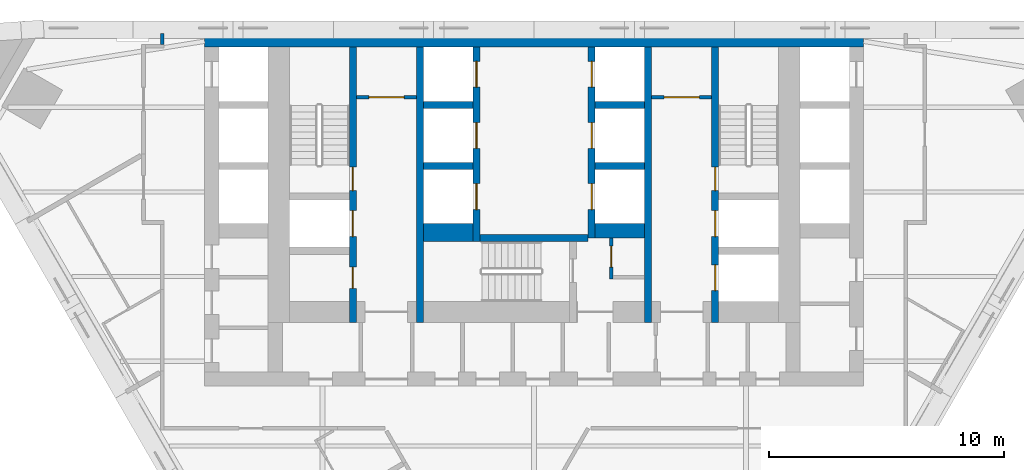
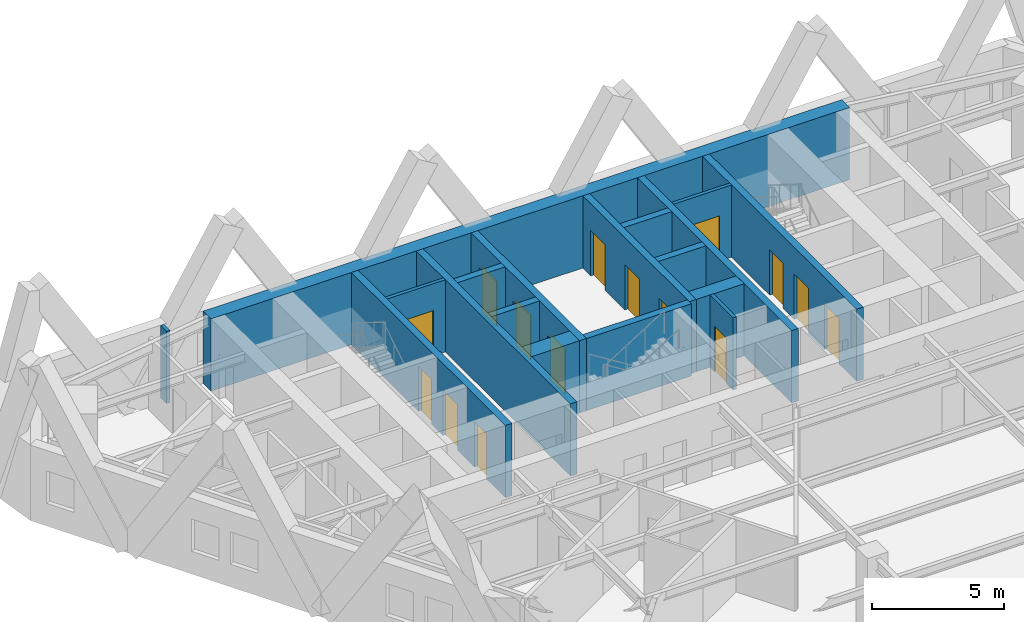
# One storey, part 7 of 10: 18 walls, 15 doors, 15 openings.
"""IFC4 building model written with IfcOpenShell, lengths in metres."""

from ifc_helpers import new_model, si_unit, direction, frame, frame_2d, origin, place, context, subcontext, project, spatial, rectangle, extrude, material, layer, layer_set, type_object, element, fill, save


model = new_model("IFC4")

# Units and contexts
model_context = context("Model", 3, precision=1e-05, world=origin(), true_north=direction((0.0, 1.0)))
body_context = subcontext(model_context, "Body", "Model", "MODEL_VIEW")
ifc_project = project(units=[si_unit("LENGTHUNIT", "METRE"), si_unit("AREAUNIT", "SQUARE_METRE"), si_unit("VOLUMEUNIT", "CUBIC_METRE"), si_unit("PLANEANGLEUNIT", "RADIAN"), si_unit("MASSUNIT", "GRAM", prefix="KILO")], contexts=[model_context])

# Site, building, storey
site_placement = place(None, origin())
site = spatial("IfcSite", under=ifc_project, at=site_placement, CompositionType="ELEMENT")
building_placement = place(site_placement, origin())
building = spatial("IfcBuilding", under=site, at=building_placement, Name="Aloe Facet Convention Tower", CompositionType="ELEMENT")
storey_placement = place(building_placement, frame((0.0, 0.0, 116.800048828125)))
storey = spatial("IfcBuildingStorey", under=building, at=storey_placement, Name="L29", CompositionType="ELEMENT", Elevation=116.800048828125)

# Wall, opening, door
ifc_material_1 = material(Name="Concrete blockwork partition", Category="masonry")
ifc_layer_1 = layer(ifc_material_1, 0.14990234375)
ifc_layer_set_1 = layer_set([ifc_layer_1], Name="CR-W-PART150")
wall_type_1 = type_object("IfcWallType", Name="CR-W-PART150", PredefinedType="PARTITIONING", material=ifc_layer_set_1)
wall_1_placement = place(storey_placement, frame((72.449951171875, 131.824951171875, 0.0), z_axis=(0.0, 0.0, 1.0), x_axis=(1.0, 0.0, 0.0)))
wall_1 = element("IfcWall", 1, at=wall_1_placement, inside=storey, type_object=wall_type_1, Name="Core partition L29-015", PredefinedType="PARTITIONING", context=body_context, shape_type="SweptSolid", body=[
    extrude(rectangle(XDim=2.550048828125, YDim=0.14990234375, at=frame_2d((1.27490234375, 0.0))), origin(), (0.0, 0.0, 1.0), 3.349853515625),
])
opening_1_placement = place(wall_1_placement, frame((0.52490234375, 0.0, 0.0)))
opening_1 = element("IfcOpeningElement", 2, at=opening_1_placement, cuts=wall_1, Name="Opening L29-CD21", PredefinedType="OPENING", context=body_context, shape_type="SweptSolid", body=[
    extrude(rectangle(XDim=1.5, YDim=2.10009765625, at=frame_2d((0.75, 1.050048828125))), frame((0.0, 0.0849609375, 0.0), z_axis=(0.0, -1.0, 0.0), x_axis=(1.0, 0.0, 0.0)), (0.0, 0.0, 1.0), 0.169921875),
])
ifc_material_2 = material(Name="Steel fire-resisting door set FD60", Category="steel")
door_type_1 = type_object("IfcDoorType", Name="CR-D-REFUGE-1500-FD60-DD", OperationType="DOUBLE_DOOR_DOUBLE_SWING", PredefinedType="DOOR", material=ifc_material_2)
door_1_placement = place(opening_1_placement, origin())
door_1 = element("IfcDoor", 3, at=door_1_placement, inside=storey, type_object=door_type_1, Name="Core door L29-CD21", OperationType="DOUBLE_DOOR_DOUBLE_SWING", OverallHeight=2.10009765625, OverallWidth=1.5, PredefinedType="DOOR", context=body_context, shape_type="SweptSolid", body=[
    extrude(rectangle(XDim=1.5, YDim=2.10009765625, at=frame_2d((0.75, 1.050048828125))), frame((0.0, 0.02490234375, 0.0), z_axis=(0.0, -1.0, 0.0), x_axis=(1.0, 0.0, 0.0)), (0.0, 0.0, 1.0), 0.050048828125),
])
fill(opening_1, door_1)

wall_2_placement = place(storey_placement, frame((83.27490234375, 125.85009765625, 0.0), z_axis=(0.0, 0.0, 1.0), x_axis=(0.0, -1.0, 0.0)))
wall_2 = element("IfcWall", 4, at=wall_2_placement, inside=storey, type_object=wall_type_1, Name="Core partition L29-036", PredefinedType="PARTITIONING", context=body_context, shape_type="SweptSolid", body=[
    extrude(rectangle(XDim=1.75, YDim=0.14990234375, at=frame_2d((0.875, 0.0))), origin(), (0.0, 0.0, 1.0), 3.349853515625),
])
opening_2_placement = place(wall_2_placement, frame((0.35009765625, 0.0, 0.0)))
opening_2 = element("IfcOpeningElement", 5, at=opening_2_placement, cuts=wall_2, Name="Opening L29-CD19", PredefinedType="OPENING", context=body_context, shape_type="SweptSolid", body=[
    extrude(rectangle(XDim=0.89990234375, YDim=2.10009765625, at=frame_2d((0.449951171875, 1.050048828125))), frame((0.0, 0.0849609375, 0.0), z_axis=(0.0, -1.0, 0.0), x_axis=(1.0, 0.0, 0.0)), (0.0, 0.0, 1.0), 0.169921875),
])
ifc_material_3 = material(Name="Steel fire-resisting door set FD60", Category="steel")
door_type_2 = type_object("IfcDoorType", Name="CR-D-REFUGE-900-FD60-SRIGHT", OperationType="SINGLE_SWING_RIGHT", PredefinedType="DOOR", material=ifc_material_3)
door_2_placement = place(opening_2_placement, origin())
door_2 = element("IfcDoor", 6, at=door_2_placement, inside=storey, type_object=door_type_2, Name="Core door L29-CD19", OperationType="SINGLE_SWING_RIGHT", OverallHeight=2.10009765625, OverallWidth=0.89990234375, PredefinedType="DOOR", context=body_context, shape_type="SweptSolid", body=[
    extrude(rectangle(XDim=0.89990234375, YDim=2.10009765625, at=frame_2d((0.449951171875, 1.050048828125))), frame((0.0, 0.02490234375, 0.0), z_axis=(0.0, -1.0, 0.0), x_axis=(1.0, 0.0, 0.0)), (0.0, 0.0, 1.0), 0.050048828125),
])
fill(opening_2, door_2)

wall_3_placement = place(storey_placement, frame((85.0, 131.824951171875, 0.0), z_axis=(0.0, 0.0, 1.0), x_axis=(1.0, 0.0, 0.0)))
wall_3 = element("IfcWall", 7, at=wall_3_placement, inside=storey, type_object=wall_type_1, Name="Core partition L29-039", PredefinedType="PARTITIONING", context=body_context, shape_type="SweptSolid", body=[
    extrude(rectangle(XDim=2.550048828125, YDim=0.14990234375, at=frame_2d((1.27490234375, 0.0))), origin(), (0.0, 0.0, 1.0), 3.349853515625),
])
opening_3_placement = place(wall_3_placement, frame((0.52490234375, 0.0, 0.0)))
opening_3 = element("IfcOpeningElement", 8, at=opening_3_placement, cuts=wall_3, Name="Opening L29-CD20", PredefinedType="OPENING", context=body_context, shape_type="SweptSolid", body=[
    extrude(rectangle(XDim=1.5, YDim=2.10009765625, at=frame_2d((0.75, 1.050048828125))), frame((0.0, 0.0849609375, 0.0), z_axis=(0.0, -1.0, 0.0), x_axis=(1.0, 0.0, 0.0)), (0.0, 0.0, 1.0), 0.169921875),
])
door_3_placement = place(opening_3_placement, origin())
door_3 = element("IfcDoor", 9, at=door_3_placement, inside=storey, type_object=door_type_1, Name="Core door L29-CD20", OperationType="DOUBLE_DOOR_DOUBLE_SWING", OverallHeight=2.10009765625, OverallWidth=1.5, PredefinedType="DOOR", context=body_context, shape_type="SweptSolid", body=[
    extrude(rectangle(XDim=1.5, YDim=2.10009765625, at=frame_2d((0.75, 1.050048828125))), frame((0.0, 0.02490234375, 0.0), z_axis=(0.0, -1.0, 0.0), x_axis=(1.0, 0.0, 0.0)), (0.0, 0.0, 1.0), 0.050048828125),
])
fill(opening_3, door_3)

# Wall, openings, doors
ifc_material_4 = material(Name="Concrete C70/85", Category="concrete")
ifc_layer_2 = layer(ifc_material_4, 0.300048828125)
ifc_layer_set_2 = layer_set([ifc_layer_2], Name="CR-W-RC300-C7085")
wall_type_2 = type_object("IfcWallType", Name="CR-W-RC300-C7085", PredefinedType="SOLIDWALL", material=ifc_layer_set_2)
wall_4_placement = place(storey_placement, frame((72.300048828125, 133.949951171875, 0.0), z_axis=(0.0, 0.0, 1.0), x_axis=(0.0, -1.0, 0.0)))
wall_4 = element("IfcWall", 10, at=wall_4_placement, inside=storey, type_object=wall_type_2, Name="Core wall L29-014", PredefinedType="SOLIDWALL", context=body_context, shape_type="SweptSolid", body=[
    extrude(rectangle(XDim=11.699951171875, YDim=0.300048828125, at=frame_2d((5.85009765625, 0.0))), origin(), (0.0, 0.0, 1.0), 3.349853515625),
])
opening_4_placement = place(wall_4_placement, frame((6.949951171875, 0.0, 0.0)))
opening_4 = element("IfcOpeningElement", 11, at=opening_4_placement, cuts=wall_4, Name="Opening LD-FF1-L29", PredefinedType="OPENING", context=body_context, shape_type="SweptSolid", body=[
    extrude(rectangle(XDim=1.10009765625, YDim=2.10009765625, at=frame_2d((0.550048828125, 1.050048828125))), frame((0.0, 0.16015625, 0.0), z_axis=(0.0, -1.0, 0.0), x_axis=(1.0, 0.0, 0.0)), (0.0, 0.0, 1.0), 0.320068359375),
])
opening_5_placement = place(wall_4_placement, frame((9.35009765625, 0.0, 0.0)))
opening_5 = element("IfcOpeningElement", 12, at=opening_5_placement, cuts=wall_4, Name="Opening L29-CD22", PredefinedType="OPENING", context=body_context, shape_type="SweptSolid", body=[
    extrude(rectangle(XDim=0.89990234375, YDim=2.10009765625, at=frame_2d((0.449951171875, 1.050048828125))), frame((0.0, 0.16015625, 0.0), z_axis=(0.0, -1.0, 0.0), x_axis=(1.0, 0.0, 0.0)), (0.0, 0.0, 1.0), 0.320068359375),
])
opening_6_placement = place(wall_4_placement, frame((5.10009765625, 0.0, 0.0)))
opening_6 = element("IfcOpeningElement", 13, at=opening_6_placement, cuts=wall_4, Name="Opening L29-CD30", PredefinedType="OPENING", context=body_context, shape_type="SweptSolid", body=[
    extrude(rectangle(XDim=1.0, YDim=2.10009765625, at=frame_2d((0.5, 1.050048828125))), frame((0.0, 0.16015625, 0.0), z_axis=(0.0, -1.0, 0.0), x_axis=(1.0, 0.0, 0.0)), (0.0, 0.0, 1.0), 0.320068359375),
])
ifc_material_5 = material(Name="Steel fire-resisting door set FD60", Category="steel")
door_type_3 = type_object("IfcDoorType", Name="CR-D-ROOM-900-FD60-SLEFT", OperationType="SINGLE_SWING_LEFT", PredefinedType="DOOR", material=ifc_material_5)
door_4_placement = place(opening_5_placement, origin())
door_4 = element("IfcDoor", 14, at=door_4_placement, inside=storey, type_object=door_type_3, Name="Core door L29-CD22", OperationType="SINGLE_SWING_LEFT", OverallHeight=2.10009765625, OverallWidth=0.89990234375, PredefinedType="DOOR", context=body_context, shape_type="SweptSolid", body=[
    extrude(rectangle(XDim=0.89990234375, YDim=2.10009765625, at=frame_2d((0.449951171875, 1.050048828125))), frame((0.0, 0.02490234375, 0.0), z_axis=(0.0, -1.0, 0.0), x_axis=(1.0, 0.0, 0.0)), (0.0, 0.0, 1.0), 0.050048828125),
])
fill(opening_5, door_4)
ifc_material_6 = material(Name="Steel fire-resisting door set FD120", Category="steel")
door_type_4 = type_object("IfcDoorType", Name="CR-D-STAIR-1000-FD120-SRIGHT", OperationType="SINGLE_SWING_RIGHT", PredefinedType="DOOR", material=ifc_material_6)
door_5_placement = place(opening_6_placement, origin())
door_5 = element("IfcDoor", 15, at=door_5_placement, inside=storey, type_object=door_type_4, Name="Core door L29-CD30", OperationType="SINGLE_SWING_RIGHT", OverallHeight=2.10009765625, OverallWidth=1.0, PredefinedType="DOOR", context=body_context, shape_type="SweptSolid", body=[
    extrude(rectangle(XDim=1.0, YDim=2.10009765625, at=frame_2d((0.5, 1.050048828125))), frame((0.0, 0.02490234375, 0.0), z_axis=(0.0, -1.0, 0.0), x_axis=(1.0, 0.0, 0.0)), (0.0, 0.0, 1.0), 0.050048828125),
])
fill(opening_6, door_5)
ifc_material_7 = material(Name="Stainless steel sliding landing door", Category="steel")
door_type_5 = type_object("IfcDoorType", Name="CR-LD-1100-FD120-_LEFT", OperationType="SLIDING_TO_LEFT", PredefinedType="DOOR", material=ifc_material_7)
door_6_placement = place(opening_4_placement, origin())
door_6 = element("IfcDoor", 16, at=door_6_placement, inside=storey, type_object=door_type_5, Name="Landing door FF1 L29", OperationType="SLIDING_TO_LEFT", OverallHeight=2.10009765625, OverallWidth=1.10009765625, PredefinedType="DOOR", context=body_context, shape_type="SweptSolid", body=[
    extrude(rectangle(XDim=1.10009765625, YDim=2.10009765625, at=frame_2d((0.550048828125, 1.050048828125))), frame((0.0, 0.02490234375, 0.0), z_axis=(0.0, -1.0, 0.0), x_axis=(1.0, 0.0, 0.0)), (0.0, 0.0, 1.0), 0.050048828125),
])
fill(opening_4, door_6)

# Walls
wall_5_placement = place(storey_placement, frame((75.14990234375, 133.949951171875, 0.0), z_axis=(0.0, 0.0, 1.0), x_axis=(0.0, -1.0, 0.0)))
element("IfcWall", 17, at=wall_5_placement, inside=storey, type_object=wall_type_2, Name="Core wall L29-019", PredefinedType="SOLIDWALL", context=body_context, shape_type="SweptSolid", body=[
    extrude(rectangle(XDim=11.699951171875, YDim=0.300048828125, at=frame_2d((5.85009765625, 0.0))), origin(), (0.0, 0.0, 1.0), 3.349853515625),
])
for number, where, z_axis, x_axis, name in (
    (18, (75.300048828125, 131.5, 0.0), (0.0, 0.0, 1.0), (1.0, 0.0, 0.0), "Core wall L29-020"),
    (19, (75.300048828125, 128.89990234375, 0.0), (0.0, 0.0, 1.0), (1.0, 0.0, 0.0), "Core wall L29-021"),
):
    element("IfcWall", number, at=place(storey_placement, frame(where, z_axis=z_axis, x_axis=x_axis)), inside=storey, type_object=wall_type_2, Name=name, PredefinedType="SOLIDWALL", context=body_context, shape_type="SweptSolid", body=[
        extrude(rectangle(XDim=2.099853515625, YDim=0.300048828125, at=frame_2d((1.0498046875, 0.0))), origin(), (0.0, 0.0, 1.0), 3.349853515625),
    ])

# Wall, openings, doors
wall_6_placement = place(storey_placement, frame((77.550048828125, 133.949951171875, 0.0), z_axis=(0.0, 0.0, 1.0), x_axis=(0.0, -1.0, 0.0)))
wall_6 = element("IfcWall", 20, at=wall_6_placement, inside=storey, type_object=wall_type_2, Name="Core wall L29-025", PredefinedType="SOLIDWALL", context=body_context, shape_type="SweptSolid", body=[
    extrude(rectangle(XDim=8.25, YDim=0.300048828125, at=frame_2d((4.125, 0.0))), origin(), (0.0, 0.0, 1.0), 3.349853515625),
])
opening_7_placement = place(wall_6_placement, frame((0.60009765625, 0.0, 0.0)))
opening_7 = element("IfcOpeningElement", 21, at=opening_7_placement, cuts=wall_6, Name="Opening LD-A1-L29", PredefinedType="OPENING", context=body_context, shape_type="SweptSolid", body=[
    extrude(rectangle(XDim=1.10009765625, YDim=2.10009765625, at=frame_2d((0.550048828125, 1.050048828125))), frame((0.0, 0.16015625, 0.0), z_axis=(0.0, -1.0, 0.0), x_axis=(1.0, 0.0, 0.0)), (0.0, 0.0, 1.0), 0.320068359375),
])
opening_8_placement = place(wall_6_placement, frame((3.199951171875, 0.0, 0.0)))
opening_8 = element("IfcOpeningElement", 22, at=opening_8_placement, cuts=wall_6, Name="Opening LD-A2-L29", PredefinedType="OPENING", context=body_context, shape_type="SweptSolid", body=[
    extrude(rectangle(XDim=1.10009765625, YDim=2.10009765625, at=frame_2d((0.550048828125, 1.050048828125))), frame((0.0, 0.16015625, 0.0), z_axis=(0.0, -1.0, 0.0), x_axis=(1.0, 0.0, 0.0)), (0.0, 0.0, 1.0), 0.320068359375),
])
opening_9_placement = place(wall_6_placement, frame((5.800048828125, 0.0, 0.0)))
opening_9 = element("IfcOpeningElement", 23, at=opening_9_placement, cuts=wall_6, Name="Opening LD-A3-L29", PredefinedType="OPENING", context=body_context, shape_type="SweptSolid", body=[
    extrude(rectangle(XDim=1.10009765625, YDim=2.10009765625, at=frame_2d((0.550048828125, 1.050048828125))), frame((0.0, 0.16015625, 0.0), z_axis=(0.0, -1.0, 0.0), x_axis=(1.0, 0.0, 0.0)), (0.0, 0.0, 1.0), 0.320068359375),
])
ifc_material_8 = material(Name="Stainless steel sliding landing door", Category="steel")
door_type_6 = type_object("IfcDoorType", Name="CR-LD-1100-FD60-RIGHT", OperationType="SLIDING_TO_RIGHT", PredefinedType="DOOR", material=ifc_material_8)
door_7_placement = place(opening_7_placement, origin())
door_7 = element("IfcDoor", 24, at=door_7_placement, inside=storey, type_object=door_type_6, Name="Landing door A1 L29", OperationType="SLIDING_TO_RIGHT", OverallHeight=2.10009765625, OverallWidth=1.10009765625, PredefinedType="DOOR", context=body_context, shape_type="SweptSolid", body=[
    extrude(rectangle(XDim=1.10009765625, YDim=2.10009765625, at=frame_2d((0.550048828125, 1.050048828125))), frame((0.0, 0.02490234375, 0.0), z_axis=(0.0, -1.0, 0.0), x_axis=(1.0, 0.0, 0.0)), (0.0, 0.0, 1.0), 0.050048828125),
])
fill(opening_7, door_7)
door_8_placement = place(opening_8_placement, origin())
door_8 = element("IfcDoor", 25, at=door_8_placement, inside=storey, type_object=door_type_6, Name="Landing door A2 L29", OperationType="SLIDING_TO_RIGHT", OverallHeight=2.10009765625, OverallWidth=1.10009765625, PredefinedType="DOOR", context=body_context, shape_type="SweptSolid", body=[
    extrude(rectangle(XDim=1.10009765625, YDim=2.10009765625, at=frame_2d((0.550048828125, 1.050048828125))), frame((0.0, 0.02490234375, 0.0), z_axis=(0.0, -1.0, 0.0), x_axis=(1.0, 0.0, 0.0)), (0.0, 0.0, 1.0), 0.050048828125),
])
fill(opening_8, door_8)
door_9_placement = place(opening_9_placement, origin())
door_9 = element("IfcDoor", 26, at=door_9_placement, inside=storey, type_object=door_type_6, Name="Landing door A3 L29", OperationType="SLIDING_TO_RIGHT", OverallHeight=2.10009765625, OverallWidth=1.10009765625, PredefinedType="DOOR", context=body_context, shape_type="SweptSolid", body=[
    extrude(rectangle(XDim=1.10009765625, YDim=2.10009765625, at=frame_2d((0.550048828125, 1.050048828125))), frame((0.0, 0.02490234375, 0.0), z_axis=(0.0, -1.0, 0.0), x_axis=(1.0, 0.0, 0.0)), (0.0, 0.0, 1.0), 0.050048828125),
])
fill(opening_9, door_9)

# Wall
wall_7_placement = place(storey_placement, frame((77.699951171875, 125.85009765625, 0.0), z_axis=(0.0, 0.0, 1.0), x_axis=(1.0, 0.0, 0.0)))
element("IfcWall", 27, at=wall_7_placement, inside=storey, type_object=wall_type_2, Name="Core wall L29-026", PredefinedType="SOLIDWALL", context=body_context, shape_type="SweptSolid", body=[
    extrude(rectangle(XDim=4.60009765625, YDim=0.300048828125, at=frame_2d((2.300048828125, 0.0))), origin(), (0.0, 0.0, 1.0), 3.349853515625),
])

# Wall, openings, doors
wall_8_placement = place(storey_placement, frame((82.449951171875, 133.949951171875, 0.0), z_axis=(0.0, 0.0, 1.0), x_axis=(0.0, -1.0, 0.0)))
wall_8 = element("IfcWall", 28, at=wall_8_placement, inside=storey, type_object=wall_type_2, Name="Core wall L29-031", PredefinedType="SOLIDWALL", context=body_context, shape_type="SweptSolid", body=[
    extrude(rectangle(XDim=8.099853515625, YDim=0.300048828125, at=frame_2d((4.0498046875, 0.0))), origin(), (0.0, 0.0, 1.0), 3.349853515625),
])
opening_10_placement = place(wall_8_placement, frame((0.60009765625, 0.0, 0.0)))
opening_10 = element("IfcOpeningElement", 29, at=opening_10_placement, cuts=wall_8, Name="Opening LD-A4-L29", PredefinedType="OPENING", context=body_context, shape_type="SweptSolid", body=[
    extrude(rectangle(XDim=1.10009765625, YDim=2.10009765625, at=frame_2d((0.550048828125, 1.050048828125))), frame((0.0, 0.16015625, 0.0), z_axis=(0.0, -1.0, 0.0), x_axis=(1.0, 0.0, 0.0)), (0.0, 0.0, 1.0), 0.320068359375),
])
opening_11_placement = place(wall_8_placement, frame((3.199951171875, 0.0, 0.0)))
opening_11 = element("IfcOpeningElement", 30, at=opening_11_placement, cuts=wall_8, Name="Opening LD-A5-L29", PredefinedType="OPENING", context=body_context, shape_type="SweptSolid", body=[
    extrude(rectangle(XDim=1.10009765625, YDim=2.10009765625, at=frame_2d((0.550048828125, 1.050048828125))), frame((0.0, 0.16015625, 0.0), z_axis=(0.0, -1.0, 0.0), x_axis=(1.0, 0.0, 0.0)), (0.0, 0.0, 1.0), 0.320068359375),
])
opening_12_placement = place(wall_8_placement, frame((5.800048828125, 0.0, 0.0)))
opening_12 = element("IfcOpeningElement", 31, at=opening_12_placement, cuts=wall_8, Name="Opening LD-A6-L29", PredefinedType="OPENING", context=body_context, shape_type="SweptSolid", body=[
    extrude(rectangle(XDim=1.10009765625, YDim=2.10009765625, at=frame_2d((0.550048828125, 1.050048828125))), frame((0.0, 0.16015625, 0.0), z_axis=(0.0, -1.0, 0.0), x_axis=(1.0, 0.0, 0.0)), (0.0, 0.0, 1.0), 0.320068359375),
])
ifc_material_9 = material(Name="Stainless steel sliding landing door", Category="steel")
door_type_7 = type_object("IfcDoorType", Name="CR-LD-1100-FD60-_LEFT", OperationType="SLIDING_TO_LEFT", PredefinedType="DOOR", material=ifc_material_9)
door_10_placement = place(opening_10_placement, origin())
door_10 = element("IfcDoor", 32, at=door_10_placement, inside=storey, type_object=door_type_7, Name="Landing door A4 L29", OperationType="SLIDING_TO_LEFT", OverallHeight=2.10009765625, OverallWidth=1.10009765625, PredefinedType="DOOR", context=body_context, shape_type="SweptSolid", body=[
    extrude(rectangle(XDim=1.10009765625, YDim=2.10009765625, at=frame_2d((0.550048828125, 1.050048828125))), frame((0.0, 0.02490234375, 0.0), z_axis=(0.0, -1.0, 0.0), x_axis=(1.0, 0.0, 0.0)), (0.0, 0.0, 1.0), 0.050048828125),
])
fill(opening_10, door_10)
door_11_placement = place(opening_11_placement, origin())
door_11 = element("IfcDoor", 33, at=door_11_placement, inside=storey, type_object=door_type_7, Name="Landing door A5 L29", OperationType="SLIDING_TO_LEFT", OverallHeight=2.10009765625, OverallWidth=1.10009765625, PredefinedType="DOOR", context=body_context, shape_type="SweptSolid", body=[
    extrude(rectangle(XDim=1.10009765625, YDim=2.10009765625, at=frame_2d((0.550048828125, 1.050048828125))), frame((0.0, 0.02490234375, 0.0), z_axis=(0.0, -1.0, 0.0), x_axis=(1.0, 0.0, 0.0)), (0.0, 0.0, 1.0), 0.050048828125),
])
fill(opening_11, door_11)
door_12_placement = place(opening_12_placement, origin())
door_12 = element("IfcDoor", 34, at=door_12_placement, inside=storey, type_object=door_type_7, Name="Landing door A6 L29", OperationType="SLIDING_TO_LEFT", OverallHeight=2.10009765625, OverallWidth=1.10009765625, PredefinedType="DOOR", context=body_context, shape_type="SweptSolid", body=[
    extrude(rectangle(XDim=1.10009765625, YDim=2.10009765625, at=frame_2d((0.550048828125, 1.050048828125))), frame((0.0, 0.02490234375, 0.0), z_axis=(0.0, -1.0, 0.0), x_axis=(1.0, 0.0, 0.0)), (0.0, 0.0, 1.0), 0.050048828125),
])
fill(opening_12, door_12)

# Walls
for number, where, z_axis, x_axis, name in (
    (35, (82.60009765625, 131.5, 0.0), (0.0, 0.0, 1.0), (1.0, 0.0, 0.0), "Core wall L29-032"),
    (36, (82.60009765625, 128.89990234375, 0.0), (0.0, 0.0, 1.0), (1.0, 0.0, 0.0), "Core wall L29-033"),
):
    element("IfcWall", number, at=place(storey_placement, frame(where, z_axis=z_axis, x_axis=x_axis)), inside=storey, type_object=wall_type_2, Name=name, PredefinedType="SOLIDWALL", context=body_context, shape_type="SweptSolid", body=[
        extrude(rectangle(XDim=2.099853515625, YDim=0.300048828125, at=frame_2d((1.0498046875, 0.0))), origin(), (0.0, 0.0, 1.0), 3.349853515625),
    ])
wall_9_placement = place(storey_placement, frame((84.85009765625, 133.949951171875, 0.0), z_axis=(0.0, 0.0, 1.0), x_axis=(0.0, -1.0, 0.0)))
element("IfcWall", 37, at=wall_9_placement, inside=storey, type_object=wall_type_2, Name="Core wall L29-038", PredefinedType="SOLIDWALL", context=body_context, shape_type="SweptSolid", body=[
    extrude(rectangle(XDim=11.699951171875, YDim=0.300048828125, at=frame_2d((5.85009765625, 0.0))), origin(), (0.0, 0.0, 1.0), 3.349853515625),
])

# Wall, openings, doors
wall_10_placement = place(storey_placement, frame((87.699951171875, 133.949951171875, 0.0), z_axis=(0.0, 0.0, 1.0), x_axis=(0.0, -1.0, 0.0)))
wall_10 = element("IfcWall", 38, at=wall_10_placement, inside=storey, type_object=wall_type_2, Name="Core wall L29-043", PredefinedType="SOLIDWALL", context=body_context, shape_type="SweptSolid", body=[
    extrude(rectangle(XDim=11.699951171875, YDim=0.300048828125, at=frame_2d((5.85009765625, 0.0))), origin(), (0.0, 0.0, 1.0), 3.349853515625),
])
opening_13_placement = place(wall_10_placement, frame((6.949951171875, 0.0, 0.0)))
opening_13 = element("IfcOpeningElement", 39, at=opening_13_placement, cuts=wall_10, Name="Opening LD-FF2-L29", PredefinedType="OPENING", context=body_context, shape_type="SweptSolid", body=[
    extrude(rectangle(XDim=1.10009765625, YDim=2.10009765625, at=frame_2d((0.550048828125, 1.050048828125))), frame((0.0, 0.16015625, 0.0), z_axis=(0.0, -1.0, 0.0), x_axis=(1.0, 0.0, 0.0)), (0.0, 0.0, 1.0), 0.320068359375),
])
opening_14_placement = place(wall_10_placement, frame((5.10009765625, 0.0, 0.0)))
opening_14 = element("IfcOpeningElement", 40, at=opening_14_placement, cuts=wall_10, Name="Opening L29-CD31", PredefinedType="OPENING", context=body_context, shape_type="SweptSolid", body=[
    extrude(rectangle(XDim=1.0, YDim=2.10009765625, at=frame_2d((0.5, 1.050048828125))), frame((0.0, 0.16015625, 0.0), z_axis=(0.0, -1.0, 0.0), x_axis=(1.0, 0.0, 0.0)), (0.0, 0.0, 1.0), 0.320068359375),
])
opening_15_placement = place(wall_10_placement, frame((9.25, 0.0, 0.0)))
opening_15 = element("IfcOpeningElement", 41, at=opening_15_placement, cuts=wall_10, Name="Opening LD-SV1-L29", PredefinedType="OPENING", context=body_context, shape_type="SweptSolid", body=[
    extrude(rectangle(XDim=1.10009765625, YDim=2.10009765625, at=frame_2d((0.550048828125, 1.050048828125))), frame((0.0, 0.16015625, 0.0), z_axis=(0.0, -1.0, 0.0), x_axis=(1.0, 0.0, 0.0)), (0.0, 0.0, 1.0), 0.320068359375),
])
ifc_material_10 = material(Name="Steel fire-resisting door set FD120", Category="steel")
door_type_8 = type_object("IfcDoorType", Name="CR-D-STAIR-1000-FD120-SLEFT", OperationType="SINGLE_SWING_LEFT", PredefinedType="DOOR", material=ifc_material_10)
door_13_placement = place(opening_14_placement, origin())
door_13 = element("IfcDoor", 42, at=door_13_placement, inside=storey, type_object=door_type_8, Name="Core door L29-CD31", OperationType="SINGLE_SWING_LEFT", OverallHeight=2.10009765625, OverallWidth=1.0, PredefinedType="DOOR", context=body_context, shape_type="SweptSolid", body=[
    extrude(rectangle(XDim=1.0, YDim=2.10009765625, at=frame_2d((0.5, 1.050048828125))), frame((0.0, 0.02490234375, 0.0), z_axis=(0.0, -1.0, 0.0), x_axis=(1.0, 0.0, 0.0)), (0.0, 0.0, 1.0), 0.050048828125),
])
fill(opening_14, door_13)
door_14_placement = place(opening_13_placement, origin())
door_14 = element("IfcDoor", 43, at=door_14_placement, inside=storey, type_object=door_type_5, Name="Landing door FF2 L29", OperationType="SLIDING_TO_LEFT", OverallHeight=2.10009765625, OverallWidth=1.10009765625, PredefinedType="DOOR", context=body_context, shape_type="SweptSolid", body=[
    extrude(rectangle(XDim=1.10009765625, YDim=2.10009765625, at=frame_2d((0.550048828125, 1.050048828125))), frame((0.0, 0.02490234375, 0.0), z_axis=(0.0, -1.0, 0.0), x_axis=(1.0, 0.0, 0.0)), (0.0, 0.0, 1.0), 0.050048828125),
])
fill(opening_13, door_14)
door_15_placement = place(opening_15_placement, origin())
door_15 = element("IfcDoor", 44, at=door_15_placement, inside=storey, type_object=door_type_5, Name="Landing door SV1 L29", OperationType="SLIDING_TO_LEFT", OverallHeight=2.10009765625, OverallWidth=1.10009765625, PredefinedType="DOOR", context=body_context, shape_type="SweptSolid", body=[
    extrude(rectangle(XDim=1.10009765625, YDim=2.10009765625, at=frame_2d((0.550048828125, 1.050048828125))), frame((0.0, 0.02490234375, 0.0), z_axis=(0.0, -1.0, 0.0), x_axis=(1.0, 0.0, 0.0)), (0.0, 0.0, 1.0), 0.050048828125),
])
fill(opening_15, door_15)

# Walls
ifc_material_11 = material(Name="Concrete C70/85", Category="concrete")
ifc_layer_3 = layer(ifc_material_11, 0.60009765625)
ifc_layer_set_3 = layer_set([ifc_layer_3], Name="CR-W-RC600-C7085")
wall_type_3 = type_object("IfcWallType", Name="CR-W-RC600-C7085", PredefinedType="SOLIDWALL", material=ifc_layer_set_3)
wall_11_placement = place(storey_placement, frame((66.0, 134.25, 0.0), z_axis=(0.0, 0.0, 1.0), x_axis=(1.0, 0.0, 0.0)))
element("IfcWall", 45, at=wall_11_placement, inside=storey, type_object=wall_type_3, Name="Core wall L29-001", PredefinedType="SOLIDWALL", context=body_context, shape_type="SweptSolid", body=[
    extrude(rectangle(XDim=28.0, YDim=0.60009765625, at=frame_2d((14.0, 0.0))), origin(), (0.0, 0.0, 1.0), 3.349853515625),
])
wall_12_placement = place(storey_placement, frame((82.60009765625, 126.14990234375, 0.0), z_axis=(0.0, 0.0, 1.0), x_axis=(1.0, 0.0, 0.0)))
element("IfcWall", 46, at=wall_12_placement, inside=storey, type_object=wall_type_3, Name="Core wall L29-034", PredefinedType="SOLIDWALL", context=body_context, shape_type="SweptSolid", body=[
    extrude(rectangle(XDim=2.099853515625, YDim=0.60009765625, at=frame_2d((1.0498046875, 0.0))), origin(), (0.0, 0.0, 1.0), 3.349853515625),
])
ifc_material_12 = material(Name="Concrete C70/85", Category="concrete")
ifc_layer_4 = layer(ifc_material_12, 0.75)
ifc_layer_set_4 = layer_set([ifc_layer_4], Name="CR-W-RC750-C7085")
wall_type_4 = type_object("IfcWallType", Name="CR-W-RC750-C7085", PredefinedType="SOLIDWALL", material=ifc_layer_set_4)
wall_13_placement = place(storey_placement, frame((75.300048828125, 126.074951171875, 0.0), z_axis=(0.0, 0.0, 1.0), x_axis=(1.0, 0.0, 0.0)))
element("IfcWall", 47, at=wall_13_placement, inside=storey, type_object=wall_type_4, Name="Core wall L29-022", PredefinedType="SOLIDWALL", context=body_context, shape_type="SweptSolid", body=[
    extrude(rectangle(XDim=2.099853515625, YDim=0.75, at=frame_2d((1.0498046875, 0.0))), origin(), (0.0, 0.0, 1.0), 3.349853515625),
])
ifc_material_13 = material(Name="Gypsum board partition on steel studs", Category="steel")
ifc_layer_5 = layer(ifc_material_13, 0.14990234375)
ifc_layer_set_5 = layer_set([ifc_layer_5], Name="IN-W-CORR")
wall_type_5 = type_object("IfcWallType", Name="IN-W-CORR", PredefinedType="PARTITIONING", material=ifc_layer_set_5)
wall_14_placement = place(storey_placement, frame((64.199951171875, 134.074951171875, 0.0), z_axis=(0.0, 0.0, 1.0), x_axis=(0.0, 1.0, 0.0)))
element("IfcWall", 48, at=wall_14_placement, inside=storey, type_object=wall_type_5, Name="Partition L29-W042", PredefinedType="PARTITIONING", context=body_context, shape_type="SweptSolid", body=[
    extrude(rectangle(XDim=0.465087890625, YDim=0.14990234375, at=frame_2d((0.232421875, 0.0))), origin(), (0.0, 0.0, 1.0), 3.349853515625),
])

save(model, "model.ifc")
